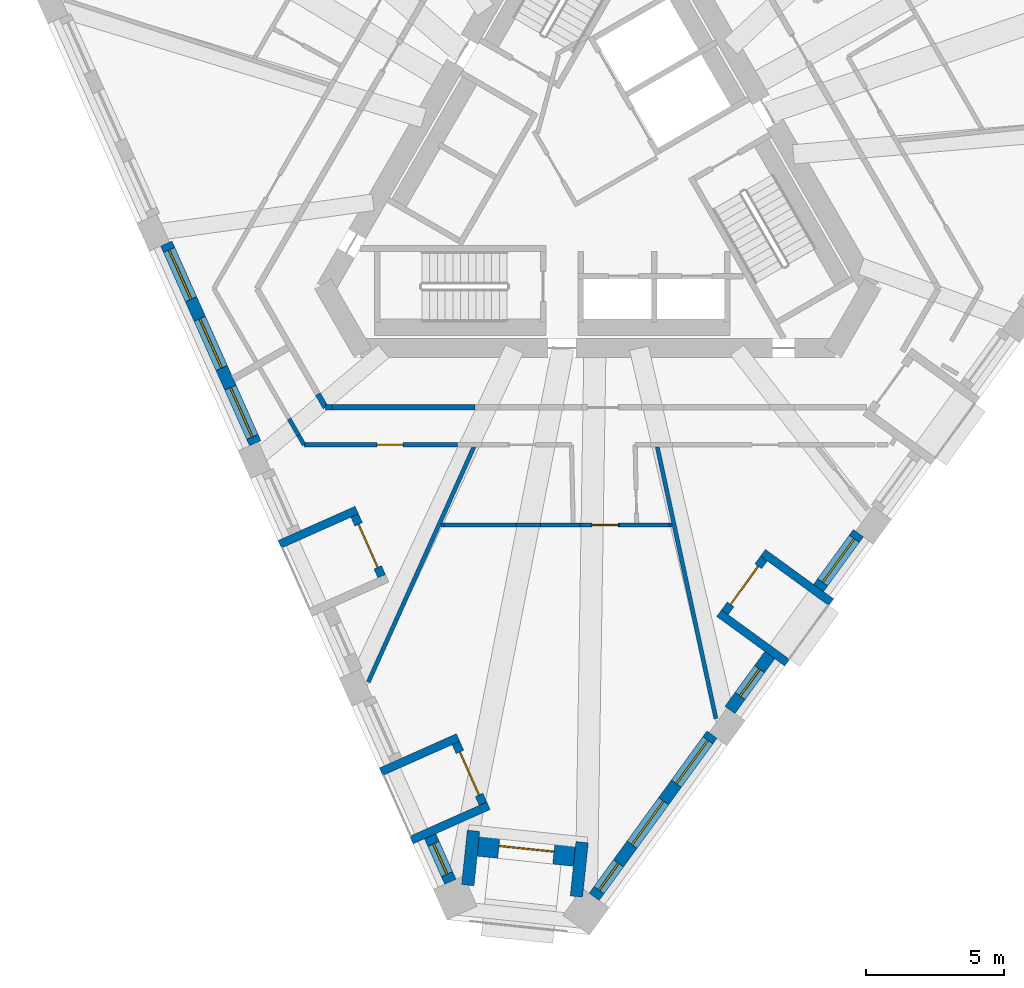
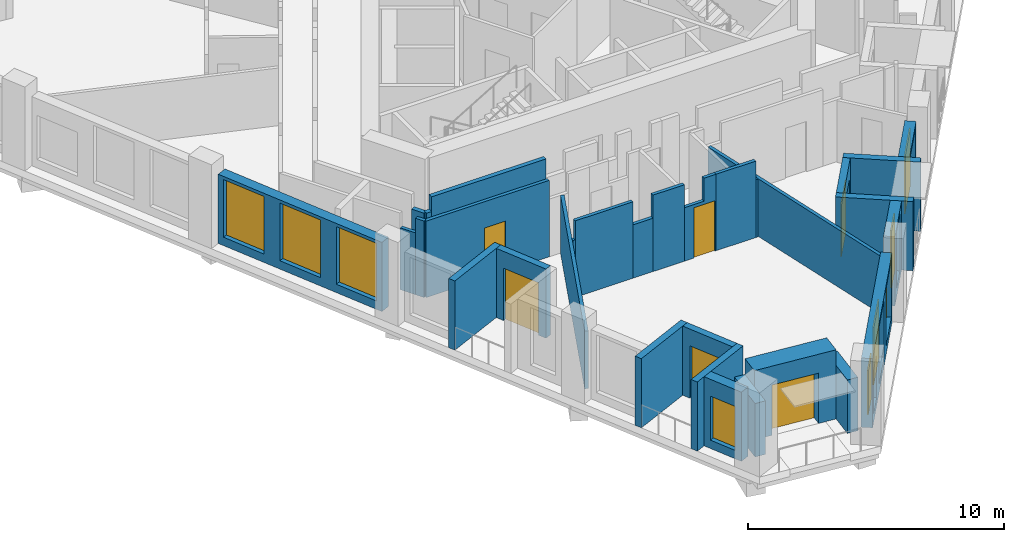
# One storey, part 2 of 11: 31 walls, 9 windows, 6 doors, 15 openings.
"""IFC4 building model written with IfcOpenShell, lengths in metres."""

from ifc_helpers import new_model, si_unit, direction, frame, frame_2d, origin, place, context, subcontext, project, spatial, polyline, rectangle, outline, extrude, material, layer, layer_set, type_object, element, fill, save


model = new_model("IFC4")

# Units and contexts
model_context = context("Model", 3, precision=1e-05, world=origin(), true_north=direction((0.0, 1.0)))
body_context = subcontext(model_context, "Body", "Model", "MODEL_VIEW")
ifc_project = project(units=[si_unit("LENGTHUNIT", "METRE"), si_unit("AREAUNIT", "SQUARE_METRE"), si_unit("VOLUMEUNIT", "CUBIC_METRE"), si_unit("PLANEANGLEUNIT", "RADIAN"), si_unit("MASSUNIT", "GRAM", prefix="KILO")], contexts=[model_context])

# Site, building, storey
site_placement = place(None, origin())
site = spatial("IfcSite", under=ifc_project, at=site_placement, CompositionType="ELEMENT")
building_placement = place(site_placement, origin())
building = spatial("IfcBuilding", under=site, at=building_placement, Name="Tramontana Tower", CompositionType="ELEMENT")
storey_placement = place(building_placement, frame((0.0, 0.0, 241.199951171875)))
storey = spatial("IfcBuildingStorey", under=building, at=storey_placement, Name="L56", CompositionType="ELEMENT", Elevation=241.199951171875)

# Walls
ifc_material_1 = material(Name="Blockwork", Category="masonry")
ifc_layer_1 = layer(ifc_material_1, 0.199951171875)
ifc_layer_set_1 = layer_set([ifc_layer_1], Name="ENTRY WALL 200")
wall_type_1 = type_object("IfcWallType", Name="ENTRY WALL 200", PredefinedType="SOLIDWALL", material=ifc_layer_set_1)
wall_1_placement = place(storey_placement, frame((-4.447998046875, -8.550048828125, 0.0), z_axis=(0.0, 0.0, 1.0), x_axis=(-1.0, 0.0, 0.0)))
element("IfcWall", 1, at=wall_1_placement, inside=storey, type_object=wall_type_1, Name="Wall v60-ew1-10", PredefinedType="SOLIDWALL", context=body_context, shape_type="SweptSolid", body=[
    extrude(rectangle(XDim=5.161376953125, YDim=0.199951171875, at=frame_2d((2.58056640625, 0.0))), origin(), (0.0, 0.0, 1.0), 3.650146484375),
])
wall_2_placement = place(storey_placement, frame((-9.609375, -8.550048828125, 0.0), z_axis=(0.0, 0.0, 1.0), x_axis=(-1.0, 0.0, 0.0)))
element("IfcWall", 2, at=wall_2_placement, inside=storey, type_object=wall_type_1, Name="Wall v60-ew1-11", PredefinedType="SOLIDWALL", context=body_context, shape_type="SweptSolid", body=[
    extrude(rectangle(XDim=0.234375, YDim=0.199951171875, at=frame_2d((0.1171875, 0.0))), origin(), (0.0, 0.0, 1.0), 2.949951171875),
])
wall_3_placement = place(storey_placement, frame((-9.84375, -8.550048828125, 0.0), z_axis=(0.0, 0.0, 1.0), x_axis=(-0.500000383388, 0.866025182435, 0.0)))
element("IfcWall", 3, at=wall_3_placement, inside=storey, type_object=wall_type_1, Name="Wall v60-ew2-0", PredefinedType="SOLIDWALL", context=body_context, shape_type="SweptSolid", body=[
    extrude(rectangle(XDim=0.5576171875, YDim=0.199951171875, at=frame_2d((0.27880859375, 0.0))), origin(), (0.0, 0.0, 1.0), 2.949951171875),
])

# Wall, openings, windows
ifc_material_2 = material(Name="Precast concrete 60 MPa", Category="concrete")
ifc_layer_2 = layer(ifc_material_2, 0.449951171875)
ifc_layer_set_2 = layer_set([ifc_layer_2], Name="Precast concrete 60 MPa, 450 mm")
wall_type_2 = type_object("IfcWallType", Name="EW1 Stone-faced precast wall 450", PredefinedType="SOLIDWALL", material=ifc_layer_set_2)
wall_4_placement = place(storey_placement, frame((-15.608154296875, -2.62158203125, 0.0), z_axis=(0.0, 0.0, 1.0), x_axis=(0.406748602972, -0.91354013266, 0.0)))
wall_4 = element("IfcWall", 4, at=wall_4_placement, inside=storey, type_object=wall_type_2, Name="External wall L56 face 0 bay 3", PredefinedType="SOLIDWALL", context=body_context, shape_type="SweptSolid", body=[
    extrude(rectangle(XDim=7.90673828125, YDim=0.449951171875, at=frame_2d((3.953369140625, 0.0))), origin(), (0.0, 0.0, 1.0), 3.300048828125),
])
opening_1_placement = place(wall_4_placement, frame((0.251220703125, 0.0, 0.39990234375)))
opening_1 = element("IfcOpeningElement", 5, at=opening_1_placement, cuts=wall_4, Name="Opening M3", PredefinedType="OPENING", context=body_context, shape_type="SweptSolid", body=[
    extrude(rectangle(XDim=1.949951171875, YDim=2.75, at=frame_2d((0.97509765625, 1.375))), frame((0.0, 0.23486328125, 0.0), z_axis=(0.0, -1.0, 0.0), x_axis=(1.0, 0.0, 0.0)), (0.0, 0.0, 1.0), 0.469970703125),
])
opening_2_placement = place(wall_4_placement, frame((2.978271484375, 0.0, 0.39990234375)))
opening_2 = element("IfcOpeningElement", 6, at=opening_2_placement, cuts=wall_4, Name="Opening M3", PredefinedType="OPENING", context=body_context, shape_type="SweptSolid", body=[
    extrude(rectangle(XDim=1.949951171875, YDim=2.75, at=frame_2d((0.97509765625, 1.375))), frame((0.0, 0.23486328125, 0.0), z_axis=(0.0, -1.0, 0.0), x_axis=(1.0, 0.0, 0.0)), (0.0, 0.0, 1.0), 0.469970703125),
])
opening_3_placement = place(wall_4_placement, frame((5.70556640625, 0.0, 0.39990234375)))
opening_3 = element("IfcOpeningElement", 7, at=opening_3_placement, cuts=wall_4, Name="Opening M3", PredefinedType="OPENING", context=body_context, shape_type="SweptSolid", body=[
    extrude(rectangle(XDim=1.949951171875, YDim=2.75, at=frame_2d((0.97509765625, 1.375))), frame((0.0, 0.23486328125, 0.0), z_axis=(0.0, -1.0, 0.0), x_axis=(1.0, 0.0, 0.0)), (0.0, 0.0, 1.0), 0.469970703125),
])
ifc_material_3 = material(Name="Aluminum frame, double glazing unit", Category="aluminium")
window_type_1 = type_object("IfcWindowType", Name="M3 Window 1.95 x 2.75", PartitioningType="SINGLE_PANEL", PredefinedType="WINDOW", material=ifc_material_3)
window_1_placement = place(opening_1_placement, origin())
window_1 = element("IfcWindow", 8, at=window_1_placement, inside=storey, type_object=window_type_1, Name="Window M3 L56 face 0 module 7", OverallHeight=2.75, OverallWidth=1.949951171875, PartitioningType="SINGLE_PANEL", PredefinedType="WINDOW", context=body_context, shape_type="SweptSolid", body=[
    extrude(rectangle(XDim=1.949951171875, YDim=2.75, at=frame_2d((0.97509765625, 1.375))), frame((0.0, 0.030029296875, 0.0), z_axis=(0.0, -1.0, 0.0), x_axis=(1.0, 0.0, 0.0)), (0.0, 0.0, 1.0), 0.06005859375),
])
fill(opening_1, window_1)
window_2_placement = place(opening_2_placement, origin())
window_2 = element("IfcWindow", 9, at=window_2_placement, inside=storey, type_object=window_type_1, Name="Window M3 L56 face 0 module 8", OverallHeight=2.75, OverallWidth=1.949951171875, PartitioningType="SINGLE_PANEL", PredefinedType="WINDOW", context=body_context, shape_type="SweptSolid", body=[
    extrude(rectangle(XDim=1.949951171875, YDim=2.75, at=frame_2d((0.97509765625, 1.375))), frame((0.0, 0.030029296875, 0.0), z_axis=(0.0, -1.0, 0.0), x_axis=(1.0, 0.0, 0.0)), (0.0, 0.0, 1.0), 0.06005859375),
])
fill(opening_2, window_2)
window_3_placement = place(opening_3_placement, origin())
window_3 = element("IfcWindow", 10, at=window_3_placement, inside=storey, type_object=window_type_1, Name="Window M3 L56 face 0 module 9", OverallHeight=2.75, OverallWidth=1.949951171875, PartitioningType="SINGLE_PANEL", PredefinedType="WINDOW", context=body_context, shape_type="SweptSolid", body=[
    extrude(rectangle(XDim=1.949951171875, YDim=2.75, at=frame_2d((0.97509765625, 1.375))), frame((0.0, 0.030029296875, 0.0), z_axis=(0.0, -1.0, 0.0), x_axis=(1.0, 0.0, 0.0)), (0.0, 0.0, 1.0), 0.06005859375),
])
fill(opening_3, window_3)

# Wall, opening, window
wall_5_placement = place(storey_placement, frame((-6.062744140625, -24.060546875, 0.0), z_axis=(0.0, 0.0, 1.0), x_axis=(0.406666293293, -0.913576776138, 0.0)))
wall_5 = element("IfcWall", 11, at=wall_5_placement, inside=storey, type_object=wall_type_2, Name="External wall L56 face 0 bay 5", PredefinedType="SOLIDWALL", context=body_context, shape_type="SweptSolid", body=[
    extrude(rectangle(XDim=1.80224609375, YDim=0.449951171875, at=frame_2d((0.901123046875, 0.0))), origin(), (0.0, 0.0, 1.0), 3.300048828125),
])
opening_4_placement = place(wall_5_placement, frame((0.301025390625, 0.0, 0.39990234375)))
opening_4 = element("IfcOpeningElement", 12, at=opening_4_placement, cuts=wall_5, Name="Opening N3L", PredefinedType="OPENING", context=body_context, shape_type="SweptSolid", body=[
    extrude(rectangle(XDim=1.199951171875, YDim=2.10009765625, at=frame_2d((0.60009765625, 1.050048828125))), frame((0.0, 0.23486328125, 0.0), z_axis=(0.0, -1.0, 0.0), x_axis=(1.0, 0.0, 0.0)), (0.0, 0.0, 1.0), 0.469970703125),
])
ifc_material_4 = material(Name="Aluminum frame, double glazing unit", Category="aluminium")
window_type_2 = type_object("IfcWindowType", Name="N3L Window 1.2 x 2.1", PartitioningType="SINGLE_PANEL", PredefinedType="WINDOW", material=ifc_material_4)
window_4_placement = place(opening_4_placement, origin())
window_4 = element("IfcWindow", 13, at=window_4_placement, inside=storey, type_object=window_type_2, Name="Window N3L L56 face 0 module 15", OverallHeight=2.10009765625, OverallWidth=1.199951171875, PartitioningType="SINGLE_PANEL", PredefinedType="WINDOW", context=body_context, shape_type="SweptSolid", body=[
    extrude(rectangle(XDim=1.199951171875, YDim=2.10009765625, at=frame_2d((0.60009765625, 1.050048828125))), frame((0.0, 0.030029296875, 0.0), z_axis=(0.0, -1.0, 0.0), x_axis=(1.0, 0.0, 0.0)), (0.0, 0.0, 1.0), 0.06005859375),
])
fill(opening_4, window_4)

# Wall, openings, windows
wall_6_placement = place(storey_placement, frame((-0.13134765625, -26.25341796875, 0.0), z_axis=(0.0, 0.0, 1.0), x_axis=(0.587781549195, 0.80901968482, 0.0)))
wall_6 = element("IfcWall", 14, at=wall_6_placement, inside=storey, type_object=wall_type_2, Name="External wall L56 face 1 bay 1", PredefinedType="SOLIDWALL", context=body_context, shape_type="SweptSolid", body=[
    extrude(rectangle(XDim=7.2568359375, YDim=0.449951171875, at=frame_2d((3.62841796875, 0.0))), origin(), (0.0, 0.0, 1.0), 3.300048828125),
])
opening_5_placement = place(wall_6_placement, frame((0.301025390625, 0.0, 0.39990234375)))
opening_5 = element("IfcOpeningElement", 15, at=opening_5_placement, cuts=wall_6, Name="Opening N3L", PredefinedType="OPENING", context=body_context, shape_type="SweptSolid", body=[
    extrude(rectangle(XDim=1.199951171875, YDim=2.10009765625, at=frame_2d((0.60009765625, 1.050048828125))), frame((0.0, 0.23486328125, 0.0), z_axis=(0.0, -1.0, 0.0), x_axis=(1.0, 0.0, 0.0)), (0.0, 0.0, 1.0), 0.469970703125),
])
opening_6_placement = place(wall_6_placement, frame((2.328369140625, 0.0, 0.39990234375)))
opening_6 = element("IfcOpeningElement", 16, at=opening_6_placement, cuts=wall_6, Name="Opening M3", PredefinedType="OPENING", context=body_context, shape_type="SweptSolid", body=[
    extrude(rectangle(XDim=1.949951171875, YDim=2.75, at=frame_2d((0.97509765625, 1.375))), frame((0.0, 0.23486328125, 0.0), z_axis=(0.0, -1.0, 0.0), x_axis=(1.0, 0.0, 0.0)), (0.0, 0.0, 1.0), 0.469970703125),
])
opening_7_placement = place(wall_6_placement, frame((5.0556640625, 0.0, 0.39990234375)))
opening_7 = element("IfcOpeningElement", 17, at=opening_7_placement, cuts=wall_6, Name="Opening M3", PredefinedType="OPENING", context=body_context, shape_type="SweptSolid", body=[
    extrude(rectangle(XDim=1.949951171875, YDim=2.75, at=frame_2d((0.97509765625, 1.375))), frame((0.0, 0.23486328125, 0.0), z_axis=(0.0, -1.0, 0.0), x_axis=(1.0, 0.0, 0.0)), (0.0, 0.0, 1.0), 0.469970703125),
])
window_5_placement = place(opening_6_placement, origin())
window_5 = element("IfcWindow", 18, at=window_5_placement, inside=storey, type_object=window_type_1, Name="Window M3 L56 face 1 module 2", OverallHeight=2.75, OverallWidth=1.949951171875, PartitioningType="SINGLE_PANEL", PredefinedType="WINDOW", context=body_context, shape_type="SweptSolid", body=[
    extrude(rectangle(XDim=1.949951171875, YDim=2.75, at=frame_2d((0.97509765625, 1.375))), frame((0.0, 0.030029296875, 0.0), z_axis=(0.0, -1.0, 0.0), x_axis=(1.0, 0.0, 0.0)), (0.0, 0.0, 1.0), 0.06005859375),
])
fill(opening_6, window_5)
window_6_placement = place(opening_7_placement, origin())
window_6 = element("IfcWindow", 19, at=window_6_placement, inside=storey, type_object=window_type_1, Name="Window M3 L56 face 1 module 3", OverallHeight=2.75, OverallWidth=1.949951171875, PartitioningType="SINGLE_PANEL", PredefinedType="WINDOW", context=body_context, shape_type="SweptSolid", body=[
    extrude(rectangle(XDim=1.949951171875, YDim=2.75, at=frame_2d((0.97509765625, 1.375))), frame((0.0, 0.030029296875, 0.0), z_axis=(0.0, -1.0, 0.0), x_axis=(1.0, 0.0, 0.0)), (0.0, 0.0, 1.0), 0.06005859375),
])
fill(opening_7, window_6)
window_7_placement = place(opening_5_placement, origin())
window_7 = element("IfcWindow", 20, at=window_7_placement, inside=storey, type_object=window_type_2, Name="Window N3L L56 face 1 module 1", OverallHeight=2.10009765625, OverallWidth=1.199951171875, PartitioningType="SINGLE_PANEL", PredefinedType="WINDOW", context=body_context, shape_type="SweptSolid", body=[
    extrude(rectangle(XDim=1.199951171875, YDim=2.10009765625, at=frame_2d((0.60009765625, 1.050048828125))), frame((0.0, 0.030029296875, 0.0), z_axis=(0.0, -1.0, 0.0), x_axis=(1.0, 0.0, 0.0)), (0.0, 0.0, 1.0), 0.06005859375),
])
fill(opening_5, window_7)

# Wall, opening, window
wall_7_placement = place(storey_placement, frame((4.780517578125, -19.49267578125, 0.0), z_axis=(0.0, 0.0, 1.0), x_axis=(0.587792773076, 0.809011530152, 0.0)))
wall_7 = element("IfcWall", 21, at=wall_7_placement, inside=storey, type_object=wall_type_2, Name="External wall L56 face 1 bay 2", PredefinedType="SOLIDWALL", context=body_context, shape_type="SweptSolid", body=[
    extrude(rectangle(XDim=2.4521484375, YDim=0.449951171875, at=frame_2d((1.22607421875, 0.0))), origin(), (0.0, 0.0, 1.0), 3.300048828125),
])
opening_8_placement = place(wall_7_placement, frame((0.626220703125, 0.0, 0.39990234375)))
opening_8 = element("IfcOpeningElement", 22, at=opening_8_placement, cuts=wall_7, Name="Opening N3", PredefinedType="OPENING", context=body_context, shape_type="SweptSolid", body=[
    extrude(rectangle(XDim=1.199951171875, YDim=2.75, at=frame_2d((0.60009765625, 1.375))), frame((0.0, 0.23486328125, 0.0), z_axis=(0.0, -1.0, 0.0), x_axis=(1.0, 0.0, 0.0)), (0.0, 0.0, 1.0), 0.469970703125),
])
ifc_material_5 = material(Name="Aluminum frame, double glazing unit", Category="aluminium")
window_type_3 = type_object("IfcWindowType", Name="N3 Window 1.2 x 2.75", PartitioningType="SINGLE_PANEL", PredefinedType="WINDOW", material=ifc_material_5)
window_8_placement = place(opening_8_placement, origin())
window_8 = element("IfcWindow", 23, at=window_8_placement, inside=storey, type_object=window_type_3, Name="Window N3 L56 face 1 module 4", OverallHeight=2.75, OverallWidth=1.199951171875, PartitioningType="SINGLE_PANEL", PredefinedType="WINDOW", context=body_context, shape_type="SweptSolid", body=[
    extrude(rectangle(XDim=1.199951171875, YDim=2.75, at=frame_2d((0.60009765625, 1.375))), frame((0.0, 0.030029296875, 0.0), z_axis=(0.0, -1.0, 0.0), x_axis=(1.0, 0.0, 0.0)), (0.0, 0.0, 1.0), 0.06005859375),
])
fill(opening_8, window_8)

wall_8_placement = place(storey_placement, frame((7.986572265625, -15.079833984375, 0.0), z_axis=(0.0, 0.0, 1.0), x_axis=(0.587792773076, 0.809011530152, 0.0)))
wall_8 = element("IfcWall", 24, at=wall_8_placement, inside=storey, type_object=wall_type_2, Name="External wall L56 face 1 bay 2", PredefinedType="SOLIDWALL", context=body_context, shape_type="SweptSolid", body=[
    extrude(rectangle(XDim=2.4521484375, YDim=0.449951171875, at=frame_2d((1.22607421875, 0.0))), origin(), (0.0, 0.0, 1.0), 3.300048828125),
])
opening_9_placement = place(wall_8_placement, frame((0.251220703125, 0.0, 0.39990234375)))
opening_9 = element("IfcOpeningElement", 25, at=opening_9_placement, cuts=wall_8, Name="Opening M3", PredefinedType="OPENING", context=body_context, shape_type="SweptSolid", body=[
    extrude(rectangle(XDim=1.949951171875, YDim=2.75, at=frame_2d((0.97509765625, 1.375))), frame((0.0, 0.23486328125, 0.0), z_axis=(0.0, -1.0, 0.0), x_axis=(1.0, 0.0, 0.0)), (0.0, 0.0, 1.0), 0.469970703125),
])
window_9_placement = place(opening_9_placement, origin())
window_9 = element("IfcWindow", 26, at=window_9_placement, inside=storey, type_object=window_type_1, Name="Window M3 L56 face 1 module 6", OverallHeight=2.75, OverallWidth=1.949951171875, PartitioningType="SINGLE_PANEL", PredefinedType="WINDOW", context=body_context, shape_type="SweptSolid", body=[
    extrude(rectangle(XDim=1.949951171875, YDim=2.75, at=frame_2d((0.97509765625, 1.375))), frame((0.0, 0.030029296875, 0.0), z_axis=(0.0, -1.0, 0.0), x_axis=(1.0, 0.0, 0.0)), (0.0, 0.0, 1.0), 0.06005859375),
])
fill(opening_9, window_9)

# Walls
for number, where, z_axis, x_axis, name in (
    (27, (-0.772216796875, -26.2421875, 0.0), (0.0, 0.0, 1.0), (0.104485716945, 0.994526387259, 0.0), "Corner loggia side wall L56 K61l"),
    (28, (-4.70068359375, -25.829345703125, 0.0), (0.0, 0.0, 1.0), (0.104607727594, 0.994513561158, 0.0), "Corner loggia side wall L56 K61r"),
):
    element("IfcWall", number, at=place(storey_placement, frame(where, z_axis=z_axis, x_axis=x_axis)), inside=storey, type_object=wall_type_2, Name=name, PredefinedType="SOLIDWALL", context=body_context, shape_type="SweptSolid", body=[
        extrude(rectangle(XDim=1.97900390625, YDim=0.449951171875, at=frame_2d((0.989501953125, 0.0))), origin(), (0.0, 0.0, 1.0), 2.550048828125),
    ])

# Wall, opening, door
ifc_material_6 = material(Name="Precast concrete 60 MPa", Category="concrete")
ifc_layer_3 = layer(ifc_material_6, 0.89990234375)
ifc_layer_set_3 = layer_set([ifc_layer_3], Name="EW2 Stone-faced corner loggia wall 900")
wall_type_3 = type_object("IfcWallType", Name="EW2 Stone-faced corner loggia wall 900", PredefinedType="SOLIDWALL", material=ifc_layer_set_3)
wall_9_placement = place(storey_placement, frame((-0.836181640625, -24.697998046875, 0.0), z_axis=(0.0, 0.0, 1.0), x_axis=(-0.994518821828, 0.104557701916, 0.0)))
wall_9 = element("IfcWall", 29, at=wall_9_placement, inside=storey, type_object=wall_type_3, Name="Corner loggia wall L56 K61", PredefinedType="SOLIDWALL", context=body_context, shape_type="SweptSolid", body=[
    extrude(rectangle(XDim=3.500244140625, YDim=0.89990234375, at=frame_2d((1.75, 0.0))), origin(), (0.0, 0.0, 1.0), 3.300048828125),
])
opening_10_placement = place(wall_9_placement, frame((0.75, 0.0, 0.0)))
opening_10 = element("IfcOpeningElement", 30, at=opening_10_placement, cuts=wall_9, Name="Opening BD-61C", PredefinedType="OPENING", context=body_context, shape_type="SweptSolid", body=[
    extrude(rectangle(XDim=2.0, YDim=2.39990234375, at=frame_2d((1.0, 1.199951171875))), frame((0.0, 0.4599609375, 0.0), z_axis=(0.0, -1.0, 0.0), x_axis=(1.0, 0.0, 0.0)), (0.0, 0.0, 1.0), 0.919921875),
])
ifc_material_7 = material(Name="Aluminum frame, double glazing unit", Category="aluminium")
door_type_1 = type_object("IfcDoorType", Name="BC1 Sliding door 2 x 2.4", OperationType="SLIDING_TO_LEFT", PredefinedType="DOOR", material=ifc_material_7)
door_1_placement = place(opening_10_placement, origin())
door_1 = element("IfcDoor", 31, at=door_1_placement, inside=storey, type_object=door_type_1, Name="Corner loggia door L56 K61", OperationType="SLIDING_TO_LEFT", OverallHeight=2.39990234375, OverallWidth=2.0, PredefinedType="DOOR", context=body_context, shape_type="SweptSolid", body=[
    extrude(rectangle(XDim=2.0, YDim=2.39990234375, at=frame_2d((1.0, 1.199951171875))), frame((0.0, 0.02490234375, 0.0), z_axis=(0.0, -1.0, 0.0), x_axis=(1.0, 0.0, 0.0)), (0.0, 0.0, 1.0), 0.050048828125),
])
fill(opening_10, door_1)

ifc_material_8 = material(Name="Precast concrete 60 MPa", Category="concrete")
ifc_layer_4 = layer(ifc_material_8, 0.300048828125)
ifc_layer_set_4 = layer_set([ifc_layer_4], Name="LW1 Stone-faced loggia wall 300")
wall_type_4 = type_object("IfcWallType", Name="LW1 Stone-faced loggia wall 300", PredefinedType="SOLIDWALL", material=ifc_layer_set_4)
wall_10_placement = place(storey_placement, frame((-8.792724609375, -12.458984375, 0.0), z_axis=(0.0, 0.0, 1.0), x_axis=(0.406723017018, -0.913551524232, 0.0)))
wall_10 = element("IfcWall", 32, at=wall_10_placement, inside=storey, type_object=wall_type_4, Name="Loggia wall L56 G6S0.10", PredefinedType="SOLIDWALL", context=body_context, shape_type="SweptSolid", body=[
    extrude(rectangle(XDim=2.40234375, YDim=0.300048828125, at=frame_2d((1.201171875, 0.0))), origin(), (0.0, 0.0, 1.0), 3.300048828125),
])
opening_11_placement = place(wall_10_placement, frame((0.35107421875, 0.0, 0.0)))
opening_11 = element("IfcOpeningElement", 33, at=opening_11_placement, cuts=wall_10, Name="Opening BD-6S0-10", PredefinedType="OPENING", context=body_context, shape_type="SweptSolid", body=[
    extrude(rectangle(XDim=1.699951171875, YDim=2.5, at=frame_2d((0.85009765625, 1.25))), frame((0.0, 0.159912109375, 0.0), z_axis=(0.0, -1.0, 0.0), x_axis=(1.0, 0.0, 0.0)), (0.0, 0.0, 1.0), 0.320068359375),
])
ifc_material_9 = material(Name="Aluminum frame, double glazing unit", Category="aluminium")
door_type_2 = type_object("IfcDoorType", Name="BD3 Sliding door 1.7 x 2.5", OperationType="SLIDING_TO_LEFT", PredefinedType="DOOR", material=ifc_material_9)
door_2_placement = place(opening_11_placement, origin())
door_2 = element("IfcDoor", 34, at=door_2_placement, inside=storey, type_object=door_type_2, Name="Loggia door L56 G6S0.10", OperationType="SLIDING_TO_LEFT", OverallHeight=2.5, OverallWidth=1.699951171875, PredefinedType="DOOR", context=body_context, shape_type="SweptSolid", body=[
    extrude(rectangle(XDim=1.699951171875, YDim=2.5, at=frame_2d((0.85009765625, 1.25))), frame((0.0, 0.02490234375, 0.0), z_axis=(0.0, -1.0, 0.0), x_axis=(1.0, 0.0, 0.0)), (0.0, 0.0, 1.0), 0.050048828125),
])
fill(opening_11, door_2)

# Wall
wall_11_placement = place(storey_placement, frame((-11.5029296875, -13.50146484375, 0.0), z_axis=(0.0, 0.0, 1.0), x_axis=(0.913557205168, 0.406710256677, 0.0)))
element("IfcWall", 35, at=wall_11_placement, inside=storey, type_object=wall_type_4, Name="Loggia return L56 G6S0.10a", PredefinedType="SOLIDWALL", context=body_context, shape_type="SweptSolid", body=[
    extrude(rectangle(XDim=3.050048828125, YDim=0.300048828125, at=frame_2d((1.52490234375, 0.0))), origin(), (0.0, 0.0, 1.0), 3.300048828125),
])

# Wall, opening, door
wall_12_placement = place(storey_placement, frame((-5.12939453125, -20.68701171875, 0.0), z_axis=(0.0, 0.0, 1.0), x_axis=(0.406723017018, -0.913551524232, 0.0)))
wall_12 = element("IfcWall", 36, at=wall_12_placement, inside=storey, type_object=wall_type_4, Name="Loggia wall L56 G6S0.13", PredefinedType="SOLIDWALL", context=body_context, shape_type="SweptSolid", body=[
    extrude(rectangle(XDim=2.40234375, YDim=0.300048828125, at=frame_2d((1.201171875, 0.0))), origin(), (0.0, 0.0, 1.0), 3.300048828125),
])
opening_12_placement = place(wall_12_placement, frame((0.35107421875, 0.0, 0.0)))
opening_12 = element("IfcOpeningElement", 37, at=opening_12_placement, cuts=wall_12, Name="Opening BD-6S0-13", PredefinedType="OPENING", context=body_context, shape_type="SweptSolid", body=[
    extrude(rectangle(XDim=1.699951171875, YDim=2.5, at=frame_2d((0.85009765625, 1.25))), frame((0.0, 0.159912109375, 0.0), z_axis=(0.0, -1.0, 0.0), x_axis=(1.0, 0.0, 0.0)), (0.0, 0.0, 1.0), 0.320068359375),
])
door_3_placement = place(opening_12_placement, origin())
door_3 = element("IfcDoor", 38, at=door_3_placement, inside=storey, type_object=door_type_2, Name="Loggia door L56 G6S0.13", OperationType="SLIDING_TO_LEFT", OverallHeight=2.5, OverallWidth=1.699951171875, PredefinedType="DOOR", context=body_context, shape_type="SweptSolid", body=[
    extrude(rectangle(XDim=1.699951171875, YDim=2.5, at=frame_2d((0.85009765625, 1.25))), frame((0.0, 0.02490234375, 0.0), z_axis=(0.0, -1.0, 0.0), x_axis=(1.0, 0.0, 0.0)), (0.0, 0.0, 1.0), 0.050048828125),
])
fill(opening_12, door_3)

# Walls
for number, where, z_axis, x_axis, name in (
    (39, (-7.839599609375, -21.7294921875, 0.0), (0.0, 0.0, 1.0), (0.913557205168, 0.406710256677, 0.0), "Loggia return L56 G6S0.13a"),
    (40, (-6.740478515625, -24.197998046875, 0.0), (0.0, 0.0, 1.0), (0.913557205168, 0.406710256677, 0.0), "Loggia return L56 G6S0.13b"),
):
    element("IfcWall", number, at=place(storey_placement, frame(where, z_axis=z_axis, x_axis=x_axis)), inside=storey, type_object=wall_type_4, Name=name, PredefinedType="SOLIDWALL", context=body_context, shape_type="SweptSolid", body=[
        extrude(rectangle(XDim=3.050048828125, YDim=0.300048828125, at=frame_2d((1.52490234375, 0.0))), origin(), (0.0, 0.0, 1.0), 3.300048828125),
    ])

# Wall, opening, door
wall_13_placement = place(storey_placement, frame((4.59814453125, -15.958251953125, 0.0), z_axis=(0.0, 0.0, 1.0), x_axis=(0.587833242688, 0.808982125137, 0.0)))
wall_13 = element("IfcWall", 41, at=wall_13_placement, inside=storey, type_object=wall_type_4, Name="Loggia wall L56 G6S1.4", PredefinedType="SOLIDWALL", context=body_context, shape_type="SweptSolid", body=[
    extrude(rectangle(XDim=2.40234375, YDim=0.300048828125, at=frame_2d((1.201171875, 0.0))), origin(), (0.0, 0.0, 1.0), 3.300048828125),
])
opening_13_placement = place(wall_13_placement, frame((0.35107421875, 0.0, 0.0)))
opening_13 = element("IfcOpeningElement", 42, at=opening_13_placement, cuts=wall_13, Name="Opening BD-6S1-04", PredefinedType="OPENING", context=body_context, shape_type="SweptSolid", body=[
    extrude(rectangle(XDim=1.699951171875, YDim=2.5, at=frame_2d((0.85009765625, 1.25))), frame((0.0, 0.159912109375, 0.0), z_axis=(0.0, -1.0, 0.0), x_axis=(1.0, 0.0, 0.0)), (0.0, 0.0, 1.0), 0.320068359375),
])
door_4_placement = place(opening_13_placement, origin())
door_4 = element("IfcDoor", 43, at=door_4_placement, inside=storey, type_object=door_type_2, Name="Loggia door L56 G6S1.4", OperationType="SLIDING_TO_LEFT", OverallHeight=2.5, OverallWidth=1.699951171875, PredefinedType="DOOR", context=body_context, shape_type="SweptSolid", body=[
    extrude(rectangle(XDim=1.699951171875, YDim=2.5, at=frame_2d((0.85009765625, 1.25))), frame((0.0, 0.02490234375, 0.0), z_axis=(0.0, -1.0, 0.0), x_axis=(1.0, 0.0, 0.0)), (0.0, 0.0, 1.0), 0.050048828125),
])
fill(opening_13, door_4)

# Walls
for number, where, z_axis, x_axis, name in (
    (44, (6.856201171875, -17.7841796875, 0.0), (0.0, 0.0, 1.0), (-0.80902328748, 0.587776590479, 0.0), "Loggia return L56 G6S1.4a"),
    (45, (8.4443359375, -15.59814453125, 0.0), (0.0, 0.0, 1.0), (-0.808957563125, 0.587867043696, 0.0), "Loggia return L56 G6S1.4b"),
):
    element("IfcWall", number, at=place(storey_placement, frame(where, z_axis=z_axis, x_axis=x_axis)), inside=storey, type_object=wall_type_4, Name=name, PredefinedType="SOLIDWALL", context=body_context, shape_type="SweptSolid", body=[
        extrude(rectangle(XDim=3.050048828125, YDim=0.300048828125, at=frame_2d((1.52490234375, 0.0))), origin(), (0.0, 0.0, 1.0), 3.300048828125),
    ])
ifc_material_10 = material(Name="Gypsum board partition")
ifc_layer_5 = layer(ifc_material_10, 0.14990234375)
ifc_layer_set_5 = layer_set([ifc_layer_5], Name="PARTITION 150")
wall_type_5 = type_object("IfcWallType", Name="PARTITION 150", PredefinedType="PARTITIONING", material=ifc_layer_set_5)
wall_14_placement = place(storey_placement, frame((-10.623291015625, -9.89990234375, 0.0), z_axis=(0.0, 0.0, 1.0), x_axis=(-0.499899443193, 0.866083452501, 0.0)))
element("IfcWall", 46, at=wall_14_placement, inside=storey, type_object=wall_type_5, Name="Wall v60-pw04-0", PredefinedType="PARTITIONING", context=body_context, shape_type="SweptSolid", body=[
    extrude(rectangle(XDim=0.39794921875, YDim=0.14990234375, at=frame_2d((0.198974609375, 0.0))), origin(), (0.0, 0.0, 1.0), 3.650146484375),
])
wall_15_placement = place(storey_placement, frame((-10.822265625, -9.55517578125, 0.0), z_axis=(0.0, 0.0, 1.0), x_axis=(-0.499969057507, 0.866043267704, 0.0)))
element("IfcWall", 47, at=wall_15_placement, inside=storey, type_object=wall_type_5, Name="Wall v60-pw04-1", PredefinedType="PARTITIONING", context=body_context, shape_type="SweptSolid", body=[
    extrude(rectangle(XDim=0.685546875, YDim=0.14990234375, at=frame_2d((0.3427734375, 0.0))), origin(), (0.0, 0.0, 1.0), 2.949951171875),
])
wall_16_placement = place(storey_placement, frame((-8.299560546875, -18.483642578125, 0.0), z_axis=(0.0, 0.0, 1.0), x_axis=(0.409625524412, 0.9122537639, 0.0)))
element("IfcWall", 48, at=wall_16_placement, inside=storey, type_object=wall_type_5, Name="Wall v60-pw07-0", PredefinedType="PARTITIONING", context=body_context, shape_type="SweptSolid", body=[
    extrude(rectangle(XDim=9.326904296875, YDim=0.14990234375, at=frame_2d((4.66357421875, 0.0))), origin(), (0.0, 0.0, 1.0), 2.75),
])

# Wall, opening, door
wall_17_placement = place(storey_placement, frame((-5.06689453125, -9.89990234375, 0.0), z_axis=(0.0, 0.0, 1.0), x_axis=(-1.0, 0.0, 0.0)))
wall_17 = element("IfcWall", 49, at=wall_17_placement, inside=storey, type_object=wall_type_5, Name="Wall v60-pw09-4", PredefinedType="PARTITIONING", context=body_context, shape_type="SweptSolid", body=[
    extrude(rectangle(XDim=5.556396484375, YDim=0.14990234375, at=frame_2d((2.7783203125, 0.0))), origin(), (0.0, 0.0, 1.0), 3.650146484375),
])
opening_14_placement = place(wall_17_placement, frame((1.970947265625, 0.0, 0.0)))
opening_14 = element("IfcOpeningElement", 50, at=opening_14_placement, cuts=wall_17, Name="Opening B6A-07", PredefinedType="OPENING", context=body_context, shape_type="SweptSolid", body=[
    extrude(rectangle(XDim=0.949951171875, YDim=2.39990234375, at=frame_2d((0.47509765625, 1.199951171875))), frame((0.0, 0.0849609375, 0.0), z_axis=(0.0, -1.0, 0.0), x_axis=(1.0, 0.0, 0.0)), (0.0, 0.0, 1.0), 0.169921875),
])
ifc_material_11 = material(Name="Painted timber", Category="wood")
door_type_3 = type_object("IfcDoorType", Name="DOOR ROOM 950", OperationType="SINGLE_SWING_LEFT", PredefinedType="DOOR", material=ifc_material_11)
door_5_placement = place(opening_14_placement, origin())
door_5 = element("IfcDoor", 51, at=door_5_placement, inside=storey, type_object=door_type_3, Name="Door B6A-07", OperationType="SINGLE_SWING_LEFT", OverallHeight=2.39990234375, OverallWidth=0.949951171875, PredefinedType="DOOR", context=body_context, shape_type="SweptSolid", body=[
    extrude(rectangle(XDim=0.949951171875, YDim=2.39990234375, at=frame_2d((0.47509765625, 1.199951171875))), frame((0.0, 0.02490234375, 0.0), z_axis=(0.0, -1.0, 0.0), x_axis=(1.0, 0.0, 0.0)), (0.0, 0.0, 1.0), 0.050048828125),
])
fill(opening_14, door_5)

# Walls
wall_18_placement = place(storey_placement, frame((2.1533203125, -9.97509765625, 0.0), z_axis=(0.0, 0.0, 1.0), x_axis=(0.210986150263, -0.977489050781, 0.0)))
element("IfcWall", 52, at=wall_18_placement, inside=storey, type_object=wall_type_5, Name="Wall v60-pw13-0", PredefinedType="PARTITIONING", context=body_context, shape_type="SweptSolid", body=[
    extrude(rectangle(XDim=10.056640625, YDim=0.14990234375, at=frame_2d((5.0283203125, 0.0))), origin(), (0.0, 0.0, 1.0), 2.75),
])
wall_19_placement = place(storey_placement, frame((2.686279296875, -12.800048828125, 0.0), z_axis=(0.0, 0.0, 1.0), x_axis=(-1.0, 0.0, 0.0)))
element("IfcWall", 53, at=wall_19_placement, inside=storey, type_object=wall_type_5, Name="Wall v60-pw14-0", PredefinedType="PARTITIONING", context=body_context, shape_type="SweptSolid", body=[
    extrude(rectangle(XDim=0.10400390625, YDim=0.14990234375, at=frame_2d((0.052001953125, 0.0))), origin(), (0.0, 0.0, 1.0), 2.75),
])
wall_20_placement = place(storey_placement, frame((2.582275390625, -12.800048828125, 0.0), z_axis=(0.0, 0.0, 1.0), x_axis=(-1.0, 0.0, 0.0)))
element("IfcWall", 54, at=wall_20_placement, inside=storey, type_object=wall_type_5, Name="Wall v60-pw14-1", PredefinedType="PARTITIONING", context=body_context, shape_type="SweptSolid", body=[
    extrude(rectangle(XDim=1.79638671875, YDim=0.14990234375, at=frame_2d((0.898193359375, 0.0))), origin(), (0.0, 0.0, 1.0), 3.650146484375),
])

# Wall, opening, door
wall_21_placement = place(storey_placement, frame((0.785888671875, -12.800048828125, 0.0), z_axis=(0.0, 0.0, 1.0), x_axis=(-1.0, 0.0, 0.0)))
wall_21 = element("IfcWall", 55, at=wall_21_placement, inside=storey, type_object=wall_type_5, Name="Wall v60-pw14-2", PredefinedType="PARTITIONING", context=body_context, shape_type="SweptSolid", body=[
    extrude(outline(polyline([(0.0, 0.0), (1.42578125, 0.0), (1.42578125, 2.550048828125), (0.550537109375, 2.550048828125), (0.550537109375, 3.650146484375), (0.0, 3.650146484375), (0.0, 0.0)])), frame((0.0, 0.074951171875, 0.0), z_axis=(0.0, -1.0, 0.0), x_axis=(1.0, 0.0, 0.0)), (0.0, 0.0, 1.0), 0.14990234375),
])
opening_15_placement = place(wall_21_placement, frame((0.050048828125, 0.0, 0.0)))
opening_15 = element("IfcOpeningElement", 56, at=opening_15_placement, cuts=wall_21, Name="Opening B6A-06", PredefinedType="OPENING", context=body_context, shape_type="SweptSolid", body=[
    extrude(rectangle(XDim=0.949951171875, YDim=2.39990234375, at=frame_2d((0.47509765625, 1.199951171875))), frame((0.0, 0.0849609375, 0.0), z_axis=(0.0, -1.0, 0.0), x_axis=(1.0, 0.0, 0.0)), (0.0, 0.0, 1.0), 0.169921875),
])
door_6_placement = place(opening_15_placement, origin())
door_6 = element("IfcDoor", 57, at=door_6_placement, inside=storey, type_object=door_type_3, Name="Door B6A-06", OperationType="SINGLE_SWING_RIGHT", OverallHeight=2.39990234375, OverallWidth=0.949951171875, PredefinedType="DOOR", context=body_context, shape_type="SweptSolid", body=[
    extrude(rectangle(XDim=0.949951171875, YDim=2.39990234375, at=frame_2d((0.47509765625, 1.199951171875))), frame((0.0, 0.02490234375, 0.0), z_axis=(0.0, -1.0, 0.0), x_axis=(1.0, 0.0, 0.0)), (0.0, 0.0, 1.0), 0.050048828125),
])
fill(opening_15, door_6)

# Walls
wall_22_placement = place(storey_placement, frame((-0.639892578125, -12.800048828125, 0.0), z_axis=(0.0, 0.0, 1.0), x_axis=(-1.0, 0.0, 0.0)))
element("IfcWall", 58, at=wall_22_placement, inside=storey, type_object=wall_type_5, Name="Wall v60-pw14-3", PredefinedType="PARTITIONING", context=body_context, shape_type="SweptSolid", body=[
    extrude(rectangle(XDim=1.42431640625, YDim=0.14990234375, at=frame_2d((0.712158203125, 0.0))), origin(), (0.0, 0.0, 1.0), 3.650146484375),
])
wall_23_placement = place(storey_placement, frame((-2.064208984375, -12.800048828125, 0.0), z_axis=(0.0, 0.0, 1.0), x_axis=(-1.0, 0.0, 0.0)))
element("IfcWall", 59, at=wall_23_placement, inside=storey, type_object=wall_type_5, Name="Wall v60-pw14-4", PredefinedType="PARTITIONING", context=body_context, shape_type="SweptSolid", body=[
    extrude(rectangle(XDim=0.8916015625, YDim=0.14990234375, at=frame_2d((0.44580078125, 0.0))), origin(), (0.0, 0.0, 1.0), 2.550048828125),
])
wall_24_placement = place(storey_placement, frame((-2.955810546875, -12.800048828125, 0.0), z_axis=(0.0, 0.0, 1.0), x_axis=(-1.0, 0.0, 0.0)))
element("IfcWall", 60, at=wall_24_placement, inside=storey, type_object=wall_type_5, Name="Wall v60-pw14-5", PredefinedType="PARTITIONING", context=body_context, shape_type="SweptSolid", body=[
    extrude(rectangle(XDim=2.614013671875, YDim=0.14990234375, at=frame_2d((1.30712890625, 0.0))), origin(), (0.0, 0.0, 1.0), 3.650146484375),
])
wall_25_placement = place(storey_placement, frame((-5.56982421875, -12.800048828125, 0.0), z_axis=(0.0, 0.0, 1.0), x_axis=(-1.0, 0.0, 0.0)))
element("IfcWall", 61, at=wall_25_placement, inside=storey, type_object=wall_type_5, Name="Wall v60-pw14-6", PredefinedType="PARTITIONING", context=body_context, shape_type="SweptSolid", body=[
    extrude(rectangle(XDim=0.095458984375, YDim=0.14990234375, at=frame_2d((0.0478515625, 0.0))), origin(), (0.0, 0.0, 1.0), 2.75),
])

save(model, "model.ifc")
